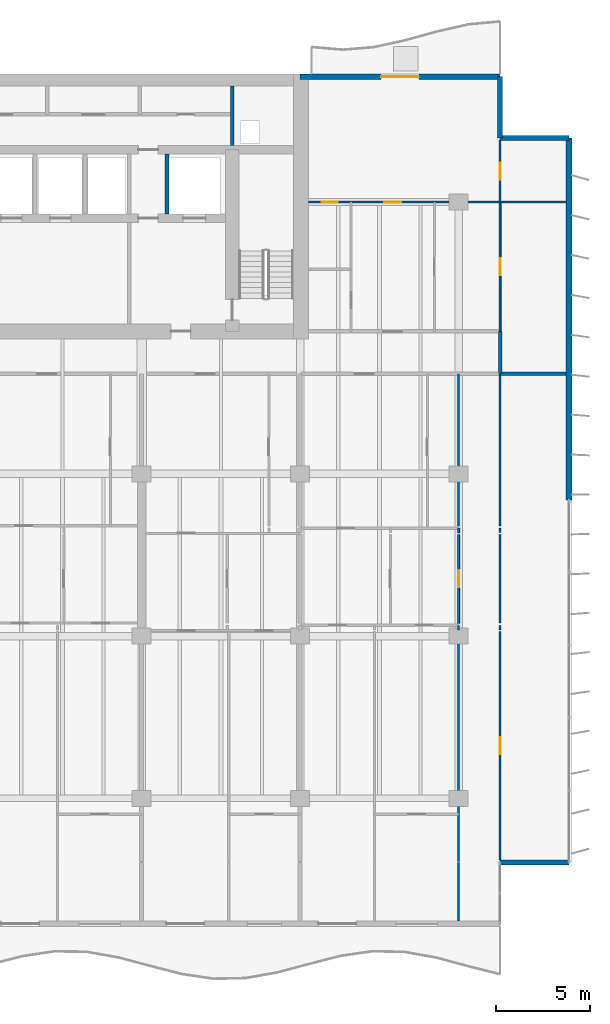
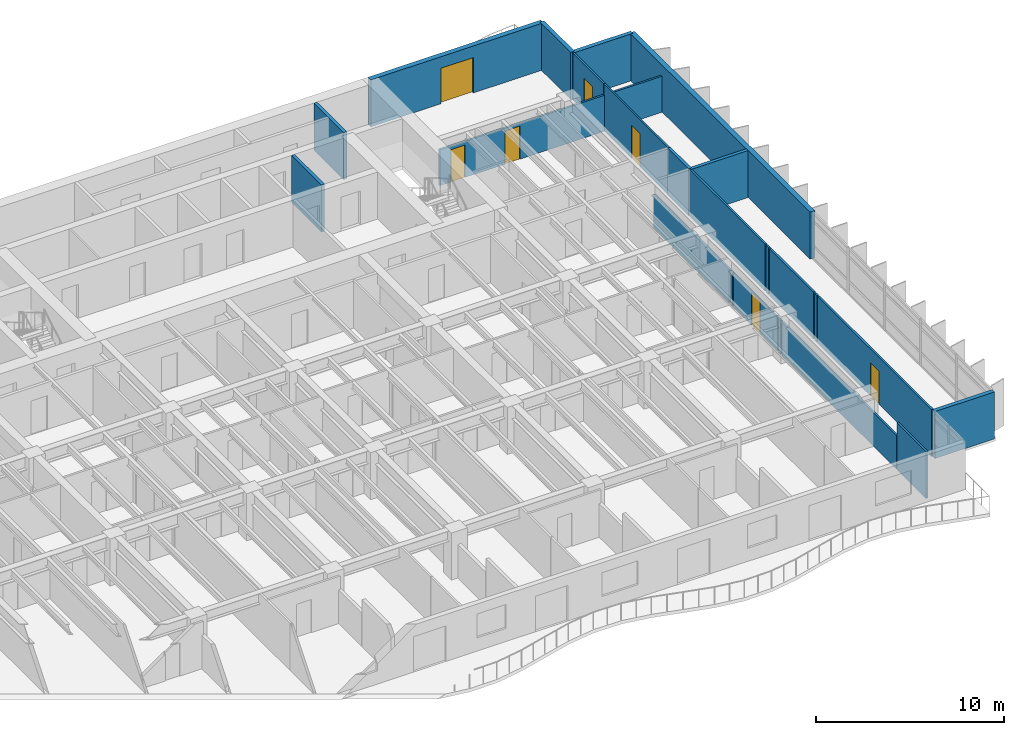
# One storey, part 13 of 18: 23 walls, 7 doors, 7 openings.
"""IFC4 building model written with IfcOpenShell, lengths in metres."""

from ifc_helpers import new_model, si_unit, direction, frame, frame_2d, origin, place, context, subcontext, project, spatial, rectangle, extrude, material, layer, layer_set, type_object, element, fill, save


model = new_model("IFC4")

# Units and contexts
model_context = context("Model", 3, precision=1e-05, world=origin(), true_north=direction((0.0, 1.0)))
body_context = subcontext(model_context, "Body", "Model", "MODEL_VIEW")
ifc_project = project(units=[si_unit("LENGTHUNIT", "METRE"), si_unit("AREAUNIT", "SQUARE_METRE"), si_unit("VOLUMEUNIT", "CUBIC_METRE"), si_unit("PLANEANGLEUNIT", "RADIAN"), si_unit("MASSUNIT", "GRAM", prefix="KILO")], contexts=[model_context])

# Site, building, storey
site_placement = place(None, origin())
site = spatial("IfcSite", under=ifc_project, at=site_placement, CompositionType="ELEMENT")
building_placement = place(site_placement, origin())
building = spatial("IfcBuilding", under=site, at=building_placement, Name="Caelmar Bay Residences", CompositionType="ELEMENT")
storey_placement = place(building_placement, frame((0.0, 0.0, 122.39990234375)))
storey = spatial("IfcBuildingStorey", under=building, at=storey_placement, Name="L33", CompositionType="ELEMENT", Elevation=122.39990234375)

# Walls
ifc_material_1 = material(Name="Double-stud acoustic fire-rated gypsum partition 180 mm")
ifc_layer_1 = layer(ifc_material_1, 0.179931640625)
ifc_layer_set_1 = layer_set([ifc_layer_1], Name="Double-stud acoustic fire-rated gypsum partition 180 mm")
wall_type_1 = type_object("IfcWallType", Name="W-COR-200", PredefinedType="PARTITIONING", material=ifc_layer_set_1)
wall_1_placement = place(storey_placement, frame((70.10009765625, 34.705078125, 0.0), z_axis=(0.0, 0.0, 1.0), x_axis=(0.0, 1.0, 0.0)))
element("IfcWall", 1, at=wall_1_placement, inside=storey, type_object=wall_type_1, Name="L33 Partition Wall V118", PredefinedType="PARTITIONING", context=body_context, shape_type="SweptSolid", body=[
    extrude(rectangle(XDim=2.244873046875, YDim=0.179931640625, at=frame_2d((1.12255859375, 0.0))), origin(), (0.0, 0.0, 1.0), 3.050048828125),
])
ifc_material_2 = material(Name="Precast concrete f'c 40 MPa (6,000 psi)", Category="concrete")
ifc_layer_2 = layer(ifc_material_2, 0.25)
ifc_layer_set_2 = layer_set([ifc_layer_2], Name="Precast concrete f'c 40 MPa (6,000 psi)")
wall_type_2 = type_object("IfcWallType", Name="W-EXT-250", PredefinedType="ELEMENTEDWALL", material=ifc_layer_set_2)
wall_2_placement = place(storey_placement, frame((70.10009765625, 8.800048828125, 0.0), z_axis=(0.0, 0.0, 1.0), x_axis=(1.0, 0.0, 0.0)))
element("IfcWall", 2, at=wall_2_placement, inside=storey, type_object=wall_type_2, Name="L33 SE Notch Return Wall", PredefinedType="ELEMENTEDWALL", context=body_context, shape_type="SweptSolid", body=[
    extrude(rectangle(XDim=3.64990234375, YDim=0.25, at=frame_2d((1.824951171875, 0.0))), origin(), (0.0, 0.0, 1.0), 3.050048828125),
])
wall_3_placement = place(storey_placement, frame((70.10009765625, 50.449951171875, 0.0), z_axis=(0.0, 0.0, 1.0), x_axis=(0.0, -1.0, 0.0)))
element("IfcWall", 3, at=wall_3_placement, inside=storey, type_object=wall_type_2, Name="L33 NNE-V Notch Wall", PredefinedType="ELEMENTEDWALL", context=body_context, shape_type="SweptSolid", body=[
    extrude(rectangle(XDim=3.25, YDim=0.25, at=frame_2d((1.625, 0.0))), origin(), (0.0, 0.0, 1.0), 3.050048828125),
])
wall_4_placement = place(storey_placement, frame((70.10009765625, 47.199951171875, 0.0), z_axis=(0.0, 0.0, 1.0), x_axis=(1.0, 0.0, 0.0)))
element("IfcWall", 4, at=wall_4_placement, inside=storey, type_object=wall_type_2, Name="L33 NNE-H Notch Wall", PredefinedType="ELEMENTEDWALL", context=body_context, shape_type="SweptSolid", body=[
    extrude(rectangle(XDim=3.64990234375, YDim=0.25, at=frame_2d((1.824951171875, 0.0))), origin(), (0.0, 0.0, 1.0), 3.050048828125),
])
ifc_layer_3 = layer(ifc_material_2, 0.300048828125)
ifc_layer_set_3 = layer_set([ifc_layer_3], Name="Precast concrete f'c 40 MPa (6,000 psi)")
wall_type_3 = type_object("IfcWallType", Name="W-EXT-300", PredefinedType="STANDARD", material=ifc_layer_set_3)
wall_5_placement = place(storey_placement, frame((73.75, 47.199951171875, 0.0), z_axis=(0.0, 0.0, 1.0), x_axis=(0.0, -1.0, 0.0)))
element("IfcWall", 5, at=wall_5_placement, inside=storey, type_object=wall_type_3, Name="L33 East Rear Exterior Wall", PredefinedType="STANDARD", context=body_context, shape_type="SweptSolid", body=[
    extrude(rectangle(XDim=19.199951171875, YDim=0.300048828125, at=frame_2d((9.60009765625, 0.0))), origin(), (0.0, 0.0, 1.0), 3.050048828125),
])

# Wall, opening, door
wall_6_placement = place(storey_placement, frame((59.5, 50.449951171875, 0.0), z_axis=(0.0, 0.0, 1.0), x_axis=(1.0, 0.0, 0.0)))
wall_6 = element("IfcWall", 6, at=wall_6_placement, inside=storey, type_object=wall_type_3, Name="L33 North-East Wing Exterior Wall", PredefinedType="STANDARD", context=body_context, shape_type="SweptSolid", body=[
    extrude(rectangle(XDim=10.60009765625, YDim=0.300048828125, at=frame_2d((5.300048828125, 0.0))), origin(), (0.0, 0.0, 1.0), 3.050048828125),
])
opening_1_placement = place(wall_6_placement, frame((4.300048828125, 0.0, 0.0)))
opening_1 = element("IfcOpeningElement", 7, at=opening_1_placement, cuts=wall_6, Name="Opening L33-BDNE", PredefinedType="OPENING", context=body_context, shape_type="SweptSolid", body=[
    extrude(rectangle(XDim=2.0, YDim=2.300048828125, at=frame_2d((1.0, 1.14990234375))), frame((0.0, 0.159912109375, 0.0), z_axis=(0.0, -1.0, 0.0), x_axis=(1.0, 0.0, 0.0)), (0.0, 0.0, 1.0), 0.320068359375),
])
ifc_material_3 = material(Name="Anodised bronze thermally broken sliding glass door", Category="glass")
ifc_layer_4 = layer(ifc_material_3, 0.050048828125)
ifc_layer_set_4 = layer_set([ifc_layer_4], Name="Anodised bronze thermally broken sliding glass door")
door_type_1 = type_object("IfcDoorType", Name="D-BAL-2000", OperationType="DOUBLE_DOOR_SLIDING", PredefinedType="DOOR", material=ifc_layer_set_4)
door_1_placement = place(opening_1_placement, origin())
door_1 = element("IfcDoor", 8, at=door_1_placement, inside=storey, type_object=door_type_1, Name="L33 North-East Balcony Door", OperationType="DOUBLE_DOOR_SLIDING", OverallHeight=2.300048828125, OverallWidth=2.0, PredefinedType="DOOR", context=body_context, shape_type="SweptSolid", body=[
    extrude(rectangle(XDim=2.0, YDim=2.300048828125, at=frame_2d((1.0, 1.14990234375))), frame((0.0, 0.02490234375, 0.0), z_axis=(0.0, -1.0, 0.0), x_axis=(1.0, 0.0, 0.0)), (0.0, 0.0, 1.0), 0.050048828125),
])
fill(opening_1, door_1)

# Walls
ifc_material_4 = material(Name="Fire-rated masonry and gypsum shaftliner assembly 200 mm", Category="masonry")
ifc_layer_5 = layer(ifc_material_4, 0.199951171875)
ifc_layer_set_5 = layer_set([ifc_layer_5], Name="Fire-rated masonry and gypsum shaftliner assembly 200 mm")
wall_type_4 = type_object("IfcWallType", Name="W-FSAE-200", PredefinedType="PARTITIONING", material=ifc_layer_set_5)
wall_7_placement = place(storey_placement, frame((52.449951171875, 43.169921875, 0.0), z_axis=(0.0, 0.0, 1.0), x_axis=(0.0, 1.0, 0.0)))
element("IfcWall", 9, at=wall_7_placement, inside=storey, type_object=wall_type_4, Name="L33 Partition Wall V085", PredefinedType="PARTITIONING", context=body_context, shape_type="SweptSolid", body=[
    extrude(rectangle(XDim=3.18505859375, YDim=0.199951171875, at=frame_2d((1.592529296875, 0.0))), origin(), (0.0, 0.0, 1.0), 3.050048828125),
])
wall_8_placement = place(storey_placement, frame((55.89990234375, 46.794921875, 0.0), z_axis=(0.0, 0.0, 1.0), x_axis=(0.0, 1.0, 0.0)))
element("IfcWall", 10, at=wall_8_placement, inside=storey, type_object=wall_type_4, Name="L33 Partition Wall V090", PredefinedType="PARTITIONING", context=body_context, shape_type="SweptSolid", body=[
    extrude(rectangle(XDim=3.16015625, YDim=0.199951171875, at=frame_2d((1.580078125, 0.0))), origin(), (0.0, 0.0, 1.0), 3.050048828125),
])

# Wall, opening, door
ifc_material_5 = material(Name="Anodised bronze framed acoustic sliding study partition 100 mm")
ifc_layer_6 = layer(ifc_material_5, 0.10009765625)
ifc_layer_set_6 = layer_set([ifc_layer_6], Name="Anodised bronze framed acoustic sliding study partition 100 mm")
wall_type_5 = type_object("IfcWallType", Name="W-MOV-100", PredefinedType="MOVABLE", material=ifc_layer_set_6)
wall_9_placement = place(storey_placement, frame((67.89990234375, 21.489990234375, 0.0), z_axis=(0.0, 0.0, 1.0), x_axis=(0.0, 1.0, 0.0)))
wall_9 = element("IfcWall", 11, at=wall_9_placement, inside=storey, type_object=wall_type_5, Name="L33 Partition Wall V110", PredefinedType="MOVABLE", context=body_context, shape_type="SweptSolid", body=[
    extrude(rectangle(XDim=4.68994140625, YDim=0.10009765625, at=frame_2d((2.344970703125, 0.0))), origin(), (0.0, 0.0, 1.0), 2.174072265625),
])
opening_2_placement = place(wall_9_placement, frame((1.89501953125, 0.0, 0.0)))
opening_2 = element("IfcOpeningElement", 12, at=opening_2_placement, cuts=wall_9, Name="Opening D-L33-171", PredefinedType="OPENING", context=body_context, shape_type="SweptSolid", body=[
    extrude(rectangle(XDim=0.89990234375, YDim=2.1240234375, at=frame_2d((0.449951171875, 1.06201171875))), frame((0.0, 0.06005859375, 0.0), z_axis=(0.0, -1.0, 0.0), x_axis=(1.0, 0.0, 0.0)), (0.0, 0.0, 1.0), 0.1201171875),
])
ifc_material_6 = material(Name="Solid walnut timber interior door leaf and frame", Category="wood")
ifc_layer_7 = layer(ifc_material_6, 0.050048828125)
ifc_layer_set_7 = layer_set([ifc_layer_7], Name="Solid walnut timber interior door leaf and frame")
door_type_2 = type_object("IfcDoorType", Name="D-ROOM-900", OperationType="NOTDEFINED", PredefinedType="DOOR", material=ifc_layer_set_7)
door_2_placement = place(opening_2_placement, origin())
door_2 = element("IfcDoor", 13, at=door_2_placement, inside=storey, type_object=door_type_2, Name="L33 Residence 07 East Apartment Hall Door", OperationType="SINGLE_SWING_LEFT", OverallHeight=2.1240234375, OverallWidth=0.89990234375, PredefinedType="DOOR", context=body_context, shape_type="SweptSolid", body=[
    extrude(rectangle(XDim=0.89990234375, YDim=2.1240234375, at=frame_2d((0.449951171875, 1.06201171875))), frame((0.0, 0.02490234375, 0.0), z_axis=(0.0, -1.0, 0.0), x_axis=(1.0, 0.0, 0.0)), (0.0, 0.0, 1.0), 0.050048828125),
])
fill(opening_2, door_2)

# Wall
wall_10_placement = place(storey_placement, frame((67.89990234375, 26.280029296875, 0.0), z_axis=(0.0, 0.0, 1.0), x_axis=(0.0, 1.0, 0.0)))
element("IfcWall", 14, at=wall_10_placement, inside=storey, type_object=wall_type_5, Name="L33 Partition Wall V111", PredefinedType="MOVABLE", context=body_context, shape_type="SweptSolid", body=[
    extrude(rectangle(XDim=0.239990234375, YDim=0.10009765625, at=frame_2d((0.1201171875, 0.0))), origin(), (0.0, 0.0, 1.0), 2.174072265625),
])

# Wall, opening, door
wall_11_placement = place(storey_placement, frame((70.10009765625, 36.955078125, 0.0), z_axis=(0.0, 0.0, 1.0), x_axis=(0.0, 1.0, 0.0)))
wall_11 = element("IfcWall", 15, at=wall_11_placement, inside=storey, type_object=wall_type_5, Name="L33 Partition Wall V119", PredefinedType="MOVABLE", context=body_context, shape_type="SweptSolid", body=[
    extrude(rectangle(XDim=6.844970703125, YDim=0.10009765625, at=frame_2d((3.42236328125, 0.0))), origin(), (0.0, 0.0, 1.0), 3.050048828125),
])
opening_3_placement = place(wall_11_placement, frame((2.972412109375, 0.0, 0.0)))
opening_3 = element("IfcOpeningElement", 16, at=opening_3_placement, cuts=wall_11, Name="Opening D-L33-186", PredefinedType="OPENING", context=body_context, shape_type="SweptSolid", body=[
    extrude(rectangle(XDim=0.89990234375, YDim=2.14990234375, at=frame_2d((0.449951171875, 1.074951171875))), frame((0.0, 0.06005859375, 0.0), z_axis=(0.0, -1.0, 0.0), x_axis=(1.0, 0.0, 0.0)), (0.0, 0.0, 1.0), 0.1201171875),
])
door_3_placement = place(opening_3_placement, origin())
door_3 = element("IfcDoor", 17, at=door_3_placement, inside=storey, type_object=door_type_2, Name="L33 Residence EA Sun Study Door", OperationType="SINGLE_SWING_RIGHT", OverallHeight=2.14990234375, OverallWidth=0.89990234375, PredefinedType="DOOR", context=body_context, shape_type="SweptSolid", body=[
    extrude(rectangle(XDim=0.89990234375, YDim=2.14990234375, at=frame_2d((0.449951171875, 1.074951171875))), frame((0.0, 0.02490234375, 0.0), z_axis=(0.0, -1.0, 0.0), x_axis=(1.0, 0.0, 0.0)), (0.0, 0.0, 1.0), 0.050048828125),
])
fill(opening_3, door_3)

# Walls
ifc_material_7 = material(Name="Acoustic metal-stud gypsum partition 120 mm")
ifc_layer_8 = layer(ifc_material_7, 0.1201171875)
ifc_layer_set_8 = layer_set([ifc_layer_8], Name="Acoustic metal-stud gypsum partition 120 mm")
wall_type_6 = type_object("IfcWallType", Name="W-PRT-120", PredefinedType="PARTITIONING", material=ifc_layer_set_8)
wall_12_placement = place(storey_placement, frame((67.89990234375, 5.695068359375, 0.0), z_axis=(0.0, 0.0, 1.0), x_axis=(0.0, 1.0, 0.0)))
element("IfcWall", 18, at=wall_12_placement, inside=storey, type_object=wall_type_6, Name="L33 Partition Wall V107", PredefinedType="PARTITIONING", context=body_context, shape_type="SweptSolid", body=[
    extrude(rectangle(XDim=3.10498046875, YDim=0.1201171875, at=frame_2d((1.552490234375, 0.0))), origin(), (0.0, 0.0, 1.0), 3.050048828125),
])
wall_13_placement = place(storey_placement, frame((67.89990234375, 8.840087890625, 0.0), z_axis=(0.0, 0.0, 1.0), x_axis=(0.0, 1.0, 0.0)))
element("IfcWall", 19, at=wall_13_placement, inside=storey, type_object=wall_type_6, Name="L33 Partition Wall V108", PredefinedType="PARTITIONING", context=body_context, shape_type="SweptSolid", body=[
    extrude(rectangle(XDim=12.18994140625, YDim=0.1201171875, at=frame_2d((6.094970703125, 0.0))), origin(), (0.0, 0.0, 1.0), 2.174072265625),
])
wall_14_placement = place(storey_placement, frame((67.89990234375, 21.1298828125, 0.0), z_axis=(0.0, 0.0, 1.0), x_axis=(0.0, 1.0, 0.0)))
element("IfcWall", 20, at=wall_14_placement, inside=storey, type_object=wall_type_6, Name="L33 Partition Wall V109", PredefinedType="PARTITIONING", context=body_context, shape_type="SweptSolid", body=[
    extrude(rectangle(XDim=0.240234375, YDim=0.1201171875, at=frame_2d((0.1201171875, 0.0))), origin(), (0.0, 0.0, 1.0), 2.174072265625),
])
wall_15_placement = place(storey_placement, frame((67.89990234375, 26.639892578125, 0.0), z_axis=(0.0, 0.0, 1.0), x_axis=(0.0, 1.0, 0.0)))
element("IfcWall", 21, at=wall_15_placement, inside=storey, type_object=wall_type_6, Name="L33 Partition Wall V112", PredefinedType="PARTITIONING", context=body_context, shape_type="SweptSolid", body=[
    extrude(rectangle(XDim=8.06005859375, YDim=0.1201171875, at=frame_2d((4.030029296875, 0.0))), origin(), (0.0, 0.0, 1.0), 2.174072265625),
])

# Wall, opening, door
wall_16_placement = place(storey_placement, frame((70.10009765625, 8.919921875, 0.0), z_axis=(0.0, 0.0, 1.0), x_axis=(0.0, 1.0, 0.0)))
wall_16 = element("IfcWall", 22, at=wall_16_placement, inside=storey, type_object=wall_type_6, Name="L33 Partition Wall V113", PredefinedType="PARTITIONING", context=body_context, shape_type="SweptSolid", body=[
    extrude(rectangle(XDim=12.110107421875, YDim=0.1201171875, at=frame_2d((6.05517578125, 0.0))), origin(), (0.0, 0.0, 1.0), 3.050048828125),
])
opening_4_placement = place(wall_16_placement, frame((5.60498046875, 0.0, 0.0)))
opening_4 = element("IfcOpeningElement", 23, at=opening_4_placement, cuts=wall_16, Name="Opening D-L33-173", PredefinedType="OPENING", context=body_context, shape_type="SweptSolid", body=[
    extrude(rectangle(XDim=0.89990234375, YDim=2.14990234375, at=frame_2d((0.449951171875, 1.074951171875))), frame((0.0, 0.070068359375, 0.0), z_axis=(0.0, -1.0, 0.0), x_axis=(1.0, 0.0, 0.0)), (0.0, 0.0, 1.0), 0.14013671875),
])
door_4_placement = place(opening_4_placement, origin())
door_4 = element("IfcDoor", 24, at=door_4_placement, inside=storey, type_object=door_type_2, Name="L33 Residence 07 Penthouse East Salon Door", OperationType="SINGLE_SWING_LEFT", OverallHeight=2.14990234375, OverallWidth=0.89990234375, PredefinedType="DOOR", context=body_context, shape_type="SweptSolid", body=[
    extrude(rectangle(XDim=0.89990234375, YDim=2.14990234375, at=frame_2d((0.449951171875, 1.074951171875))), frame((0.0, 0.02490234375, 0.0), z_axis=(0.0, -1.0, 0.0), x_axis=(1.0, 0.0, 0.0)), (0.0, 0.0, 1.0), 0.050048828125),
])
fill(opening_4, door_4)

# Walls
wall_17_placement = place(storey_placement, frame((70.10009765625, 21.1298828125, 0.0), z_axis=(0.0, 0.0, 1.0), x_axis=(0.0, 1.0, 0.0)))
element("IfcWall", 25, at=wall_17_placement, inside=storey, type_object=wall_type_6, Name="L33 Partition Wall V114", PredefinedType="PARTITIONING", context=body_context, shape_type="SweptSolid", body=[
    extrude(rectangle(XDim=0.240234375, YDim=0.1201171875, at=frame_2d((0.1201171875, 0.0))), origin(), (0.0, 0.0, 1.0), 3.050048828125),
])
wall_18_placement = place(storey_placement, frame((70.10009765625, 21.489990234375, 0.0), z_axis=(0.0, 0.0, 1.0), x_axis=(0.0, 1.0, 0.0)))
element("IfcWall", 26, at=wall_18_placement, inside=storey, type_object=wall_type_6, Name="L33 Partition Wall V115", PredefinedType="PARTITIONING", context=body_context, shape_type="SweptSolid", body=[
    extrude(rectangle(XDim=4.68994140625, YDim=0.1201171875, at=frame_2d((2.344970703125, 0.0))), origin(), (0.0, 0.0, 1.0), 3.050048828125),
])
wall_19_placement = place(storey_placement, frame((70.10009765625, 26.280029296875, 0.0), z_axis=(0.0, 0.0, 1.0), x_axis=(0.0, 1.0, 0.0)))
element("IfcWall", 27, at=wall_19_placement, inside=storey, type_object=wall_type_6, Name="L33 Partition Wall V116", PredefinedType="PARTITIONING", context=body_context, shape_type="SweptSolid", body=[
    extrude(rectangle(XDim=0.239990234375, YDim=0.1201171875, at=frame_2d((0.1201171875, 0.0))), origin(), (0.0, 0.0, 1.0), 3.050048828125),
])
wall_20_placement = place(storey_placement, frame((70.10009765625, 26.639892578125, 0.0), z_axis=(0.0, 0.0, 1.0), x_axis=(0.0, 1.0, 0.0)))
element("IfcWall", 28, at=wall_20_placement, inside=storey, type_object=wall_type_6, Name="L33 Partition Wall V117", PredefinedType="PARTITIONING", context=body_context, shape_type="SweptSolid", body=[
    extrude(rectangle(XDim=8.06005859375, YDim=0.1201171875, at=frame_2d((4.030029296875, 0.0))), origin(), (0.0, 0.0, 1.0), 3.050048828125),
])

# Wall, opening, door
wall_21_placement = place(storey_placement, frame((70.10009765625, 43.804931640625, 0.0), z_axis=(0.0, 0.0, 1.0), x_axis=(0.0, 1.0, 0.0)))
wall_21 = element("IfcWall", 29, at=wall_21_placement, inside=storey, type_object=wall_type_6, Name="L33 Partition Wall V120", PredefinedType="PARTITIONING", context=body_context, shape_type="SweptSolid", body=[
    extrude(rectangle(XDim=3.275146484375, YDim=0.1201171875, at=frame_2d((1.6376953125, 0.0))), origin(), (0.0, 0.0, 1.0), 3.050048828125),
])
opening_5_placement = place(wall_21_placement, frame((1.1875, 0.0, 0.0)))
opening_5 = element("IfcOpeningElement", 30, at=opening_5_placement, cuts=wall_21, Name="Opening D-L33-187", PredefinedType="OPENING", context=body_context, shape_type="SweptSolid", body=[
    extrude(rectangle(XDim=0.89990234375, YDim=2.14990234375, at=frame_2d((0.449951171875, 1.074951171875))), frame((0.0, 0.070068359375, 0.0), z_axis=(0.0, -1.0, 0.0), x_axis=(1.0, 0.0, 0.0)), (0.0, 0.0, 1.0), 0.14013671875),
])
door_5_placement = place(opening_5_placement, origin())
door_5 = element("IfcDoor", 31, at=door_5_placement, inside=storey, type_object=door_type_2, Name="L33 Residence EA North Sitting Alcove Door", OperationType="SINGLE_SWING_LEFT", OverallHeight=2.14990234375, OverallWidth=0.89990234375, PredefinedType="DOOR", context=body_context, shape_type="SweptSolid", body=[
    extrude(rectangle(XDim=0.89990234375, YDim=2.14990234375, at=frame_2d((0.449951171875, 1.074951171875))), frame((0.0, 0.02490234375, 0.0), z_axis=(0.0, -1.0, 0.0), x_axis=(1.0, 0.0, 0.0)), (0.0, 0.0, 1.0), 0.050048828125),
])
fill(opening_5, door_5)

# Wall, openings, doors
wall_22_placement = place(storey_placement, frame((59.945068359375, 43.800048828125, 0.0), z_axis=(0.0, 0.0, 1.0), x_axis=(1.0, 0.0, 0.0)))
wall_22 = element("IfcWall", 32, at=wall_22_placement, inside=storey, type_object=wall_type_6, Name="L33 Partition Wall H151", PredefinedType="PARTITIONING", context=body_context, shape_type="SweptSolid", body=[
    extrude(rectangle(XDim=13.659912109375, YDim=0.1201171875, at=frame_2d((6.830078125, 0.0))), origin(), (0.0, 0.0, 1.0), 2.339111328125),
])
opening_6_placement = place(wall_22_placement, frame((4.01708984375, 0.0, 0.0)))
opening_6 = element("IfcOpeningElement", 33, at=opening_6_placement, cuts=wall_22, Name="Opening D-L33-183", PredefinedType="OPENING", context=body_context, shape_type="SweptSolid", body=[
    extrude(rectangle(XDim=0.89990234375, YDim=2.14990234375, at=frame_2d((0.449951171875, 1.074951171875))), frame((0.0, 0.070068359375, 0.0), z_axis=(0.0, -1.0, 0.0), x_axis=(1.0, 0.0, 0.0)), (0.0, 0.0, 1.0), 0.14013671875),
])
opening_7_placement = place(wall_22_placement, frame((0.702392578125, 0.0, 0.0)))
opening_7 = element("IfcOpeningElement", 34, at=opening_7_placement, cuts=wall_22, Name="Opening D-L33-185", PredefinedType="OPENING", context=body_context, shape_type="SweptSolid", body=[
    extrude(rectangle(XDim=0.85009765625, YDim=2.10009765625, at=frame_2d((0.425048828125, 1.050048828125))), frame((0.0, 0.070068359375, 0.0), z_axis=(0.0, -1.0, 0.0), x_axis=(1.0, 0.0, 0.0)), (0.0, 0.0, 1.0), 0.14013671875),
])
ifc_layer_9 = layer(ifc_material_6, 0.050048828125)
ifc_layer_set_9 = layer_set([ifc_layer_9], Name="Solid walnut timber interior door leaf and frame")
door_type_3 = type_object("IfcDoorType", Name="D-BATH-850", OperationType="NOTDEFINED", PredefinedType="DOOR", material=ifc_layer_set_9)
door_6_placement = place(opening_7_placement, origin())
door_6 = element("IfcDoor", 35, at=door_6_placement, inside=storey, type_object=door_type_3, Name="L33 Residence EA Bathroom Door", OperationType="SINGLE_SWING_LEFT", OverallHeight=2.10009765625, OverallWidth=0.85009765625, PredefinedType="DOOR", context=body_context, shape_type="SweptSolid", body=[
    extrude(rectangle(XDim=0.85009765625, YDim=2.10009765625, at=frame_2d((0.425048828125, 1.050048828125))), frame((0.0, 0.02490234375, 0.0), z_axis=(0.0, -1.0, 0.0), x_axis=(1.0, 0.0, 0.0)), (0.0, 0.0, 1.0), 0.050048828125),
])
fill(opening_7, door_6)
door_7_placement = place(opening_6_placement, origin())
door_7 = element("IfcDoor", 36, at=door_7_placement, inside=storey, type_object=door_type_2, Name="L33 Residence EA Studio Living and Sleeping Room Door", OperationType="SINGLE_SWING_LEFT", OverallHeight=2.14990234375, OverallWidth=0.89990234375, PredefinedType="DOOR", context=body_context, shape_type="SweptSolid", body=[
    extrude(rectangle(XDim=0.89990234375, YDim=2.14990234375, at=frame_2d((0.449951171875, 1.074951171875))), frame((0.0, 0.02490234375, 0.0), z_axis=(0.0, -1.0, 0.0), x_axis=(1.0, 0.0, 0.0)), (0.0, 0.0, 1.0), 0.050048828125),
])
fill(opening_6, door_7)

# Wall
ifc_material_8 = material(Name="Acoustic twin-stud fire-rated inter-tenancy partition 200 mm")
ifc_layer_10 = layer(ifc_material_8, 0.199951171875)
ifc_layer_set_10 = layer_set([ifc_layer_10], Name="Acoustic twin-stud fire-rated inter-tenancy partition 200 mm")
wall_type_7 = type_object("IfcWallType", Name="W-PTY-200", PredefinedType="PARTITIONING", material=ifc_layer_set_10)
wall_23_placement = place(storey_placement, frame((70.10498046875, 34.699951171875, 0.0), z_axis=(0.0, 0.0, 1.0), x_axis=(1.0, 0.0, 0.0)))
element("IfcWall", 37, at=wall_23_placement, inside=storey, type_object=wall_type_7, Name="L33 Partition Wall H145", PredefinedType="PARTITIONING", context=body_context, shape_type="SweptSolid", body=[
    extrude(rectangle(XDim=3.5, YDim=0.199951171875, at=frame_2d((1.75, 0.0))), origin(), (0.0, 0.0, 1.0), 3.050048828125),
])

save(model, "model.ifc")
